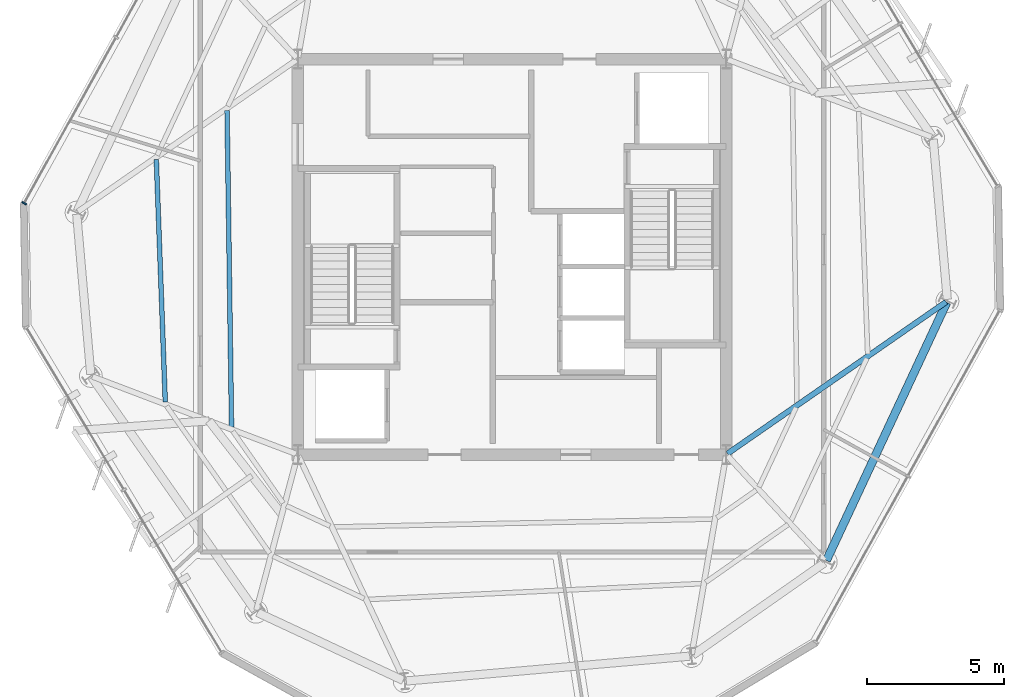
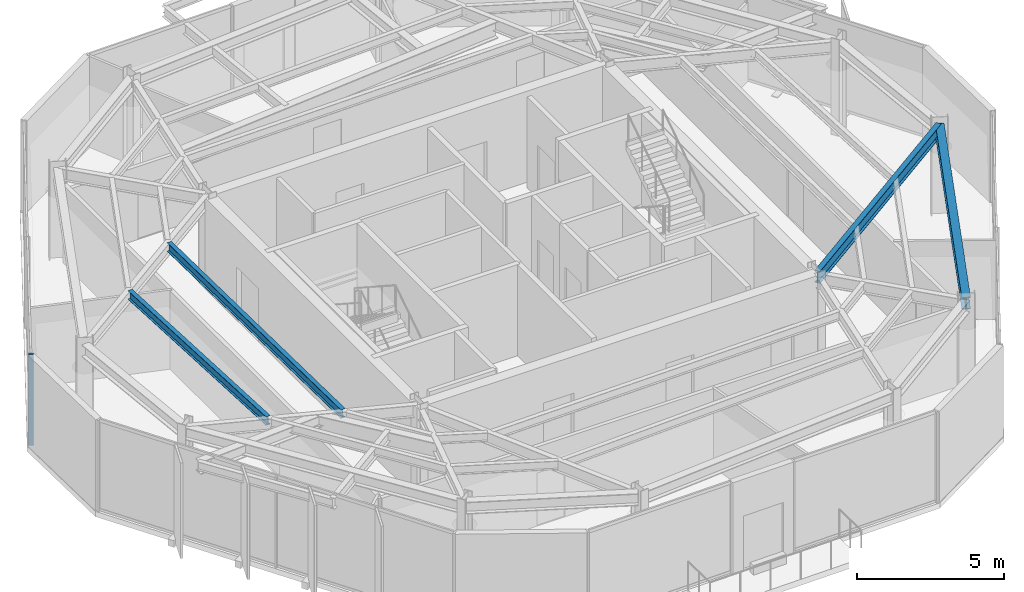
# One storey, part 3 of 12: 4 beams, 1 member, 1 element without a shape of its own.
"""IFC4 building model written with IfcOpenShell, lengths in metres."""

from ifc_helpers import new_model, si_unit, direction, frame, origin, origin_2d, place, context, subcontext, project, spatial, rectangle, i_section, extrude, material, layer, layer_set, material_profile, profile_set, type_object, element, aggregate, save


model = new_model("IFC4")

# Units and contexts
model_context = context("Model", 3, precision=1e-05, world=origin(), true_north=direction((0.0, 1.0)))
body_context = subcontext(model_context, "Body", "Model", "MODEL_VIEW")
ifc_project = project(units=[si_unit("LENGTHUNIT", "METRE"), si_unit("AREAUNIT", "SQUARE_METRE"), si_unit("VOLUMEUNIT", "CUBIC_METRE"), si_unit("PLANEANGLEUNIT", "RADIAN"), si_unit("MASSUNIT", "GRAM", prefix="KILO")], contexts=[model_context])

# Site, building, storey
site_placement = place(None, origin())
site = spatial("IfcSite", under=ifc_project, at=site_placement, CompositionType="ELEMENT")
building_placement = place(site_placement, origin())
building = spatial("IfcBuilding", under=site, at=building_placement, Name="Kranzbogen Civic Tower", CompositionType="ELEMENT")
storey_placement = place(building_placement, frame((0.0, 0.0, 270.199951171875)))
storey = spatial("IfcBuildingStorey", under=building, at=storey_placement, Name="L65", CompositionType="ELEMENT", Elevation=270.199951171875)

# Curtain wall, member
ifc_material_1 = material(Name="Pale Anodised Aluminium", Category="aluminium")
ifc_layer = layer(ifc_material_1, 0.219970703125, Name="Pale Anodised Aluminium")
ifc_layer_set = layer_set([ifc_layer], Name="Pale Anodised Aluminium")
curtain_wall_type = type_object("IfcCurtainWallType", Name="Zone 4 Stick Curtain Wall System CW-05", PredefinedType="USERDEFINED", material=ifc_layer_set)
curtain_wall_placement = place(storey_placement, origin())
curtain_wall = element("IfcCurtainWall", 1, at=curtain_wall_placement, inside=storey, type_object=curtain_wall_type, Name="L65 curtain wall CW-L65-F2", ObjectType="STICK CURTAIN WALL", PredefinedType="USERDEFINED")
ifc_material_profile_1 = material_profile(ifc_material_1, rectangle(XDim=0.06494140625, YDim=0.179931640625, at=origin_2d()), Name="ALU-M 65x180")
ifc_profile_set_1 = profile_set([ifc_material_profile_1], Name="Pale Anodised Aluminium")
member_type = type_object("IfcMemberType", Name="Curtain Wall Mullion ALU-M 65x180", PredefinedType="MULLION", material=ifc_profile_set_1)
member_placement = place(storey_placement, frame((7.238525390625, 26.94921875, 0.0), z_axis=(0.0, 0.0, 1.0), x_axis=(-0.484840955853, -0.874602336795, 0.0)))
member = element("IfcMember", 2, at=member_placement, type_object=member_type, Name="CW-05 mullion 3", PredefinedType="MULLION", context=body_context, shape_type="SweptSolid", body=[
    extrude(rectangle(XDim=0.06494140625, YDim=0.179931640625, at=origin_2d()), origin(), (0.0, 0.0, 1.0), 3.780029296875),
])
aggregate(curtain_wall, [member])

# Beams
ifc_material_2 = material(Name="Steel S355", Category="steel")
ifc_material_profile_2 = material_profile(ifc_material_2, i_section(OverallWidth=0.300048828125, OverallDepth=0.5, WebThickness=0.014404296875, FlangeThickness=0.028076171875, at=origin_2d()), Name="HEB 500")
ifc_profile_set_2 = profile_set([ifc_material_profile_2], Name="Steel S355")
beam_type_1 = type_object("IfcBeamType", Name="Perimeter Tube Spandrel Beam HEB 500", PredefinedType="SPANDREL", material=ifc_profile_set_2)
beam_1_placement = place(storey_placement, frame((36.449951171875, 13.944091796875, 3.530029296875), z_axis=(0.422668780888, 0.906284227857, 0.0), x_axis=(-0.906284227857, 0.422668780888, 0.0)))
element("IfcBeam", 3, at=beam_1_placement, inside=storey, type_object=beam_type_1, Name="L65 perimeter spandrel beam 05", PredefinedType="SPANDREL", context=body_context, shape_type="SweptSolid", body=[
    extrude(i_section(OverallWidth=0.300048828125, OverallDepth=0.5, WebThickness=0.014404296875, FlangeThickness=0.028076171875, at=origin_2d()), origin(), (0.0, 0.0, 1.0), 10.363037109375),
])
ifc_material_profile_3 = material_profile(ifc_material_2, i_section(OverallWidth=0.199951171875, OverallDepth=0.5, WebThickness=0.01025390625, FlangeThickness=0.01611328125, at=origin_2d()), Name="IPE 500")
ifc_profile_set_3 = profile_set([ifc_material_profile_3], Name="Steel S355")
beam_type_2 = type_object("IfcBeamType", Name="Radial Tower Floor Girder IPE 500", PredefinedType="BEAM", material=ifc_profile_set_3)
beam_2_placement = place(storey_placement, frame((40.805908203125, 23.35595703125, 3.530029296875), z_axis=(-0.821542812331, -0.570146829779, 0.0), x_axis=(0.570146829779, -0.821542812331, 0.0)))
element("IfcBeam", 4, at=beam_2_placement, inside=storey, type_object=beam_type_2, Name="L65 radial floor girder 06", PredefinedType="BEAM", context=body_context, shape_type="SweptSolid", body=[
    extrude(i_section(OverallWidth=0.199951171875, OverallDepth=0.5, WebThickness=0.01025390625, FlangeThickness=0.01611328125, at=origin_2d()), origin(), (0.0, 0.0, 1.0), 9.68505859375),
])
ifc_material_profile_4 = material_profile(ifc_material_2, i_section(OverallWidth=0.169921875, OverallDepth=0.360107421875, WebThickness=0.008056640625, FlangeThickness=0.0126953125, at=origin_2d()), Name="IPE 360")
ifc_profile_set_4 = profile_set([ifc_material_profile_4], Name="Steel S355")
beam_type_3 = type_object("IfcBeamType", Name="Secondary Composite Floor Joist IPE 360", PredefinedType="JOIST", material=ifc_profile_set_4)
beam_3_placement = place(storey_placement, frame((12.048095703125, 28.5419921875, 3.60009765625), z_axis=(0.036992246074, -0.999315552631, 0.0), x_axis=(0.999315552631, 0.036992246074, 0.0)))
element("IfcBeam", 5, at=beam_3_placement, inside=storey, type_object=beam_type_3, Name="L65 secondary floor joist 1.12", PredefinedType="JOIST", context=body_context, shape_type="SweptSolid", body=[
    extrude(i_section(OverallWidth=0.169921875, OverallDepth=0.360107421875, WebThickness=0.008056640625, FlangeThickness=0.0126953125, at=origin_2d()), origin(), (0.0, 0.0, 1.0), 8.837158203125),
])
beam_4_placement = place(storey_placement, frame((14.6240234375, 30.3310546875, 3.60009765625), z_axis=(0.014221385906, -0.999898870978, 0.0), x_axis=(0.999898870978, 0.014221385906, 0.0)))
element("IfcBeam", 6, at=beam_4_placement, inside=storey, type_object=beam_type_3, Name="L65 secondary floor joist 2.12", PredefinedType="JOIST", context=body_context, shape_type="SweptSolid", body=[
    extrude(i_section(OverallWidth=0.169921875, OverallDepth=0.360107421875, WebThickness=0.008056640625, FlangeThickness=0.0126953125, at=origin_2d()), origin(), (0.0, 0.0, 1.0), 11.536376953125),
])

save(model, "model.ifc")
